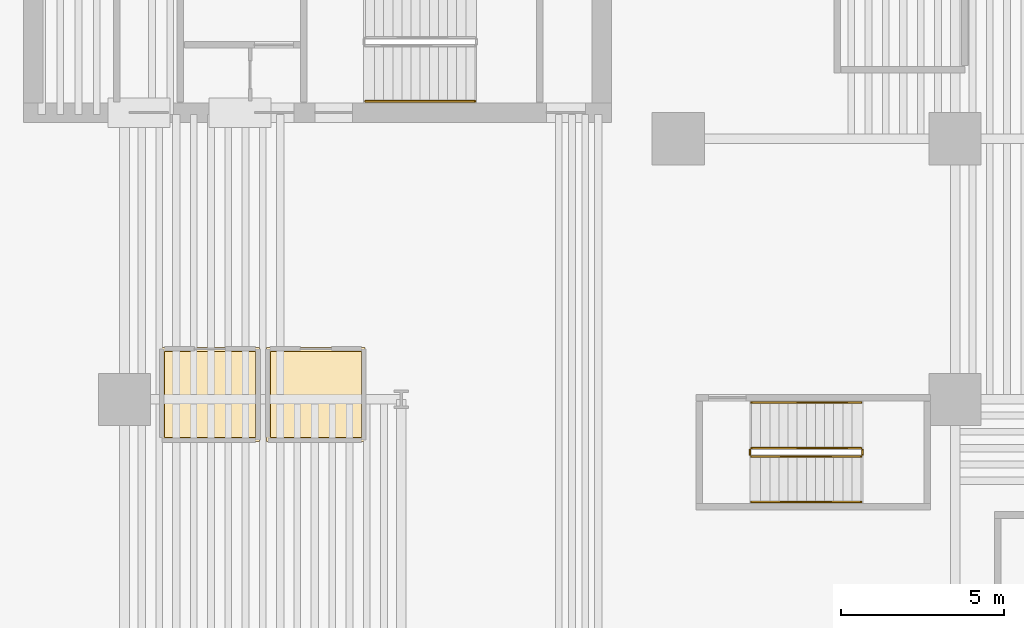
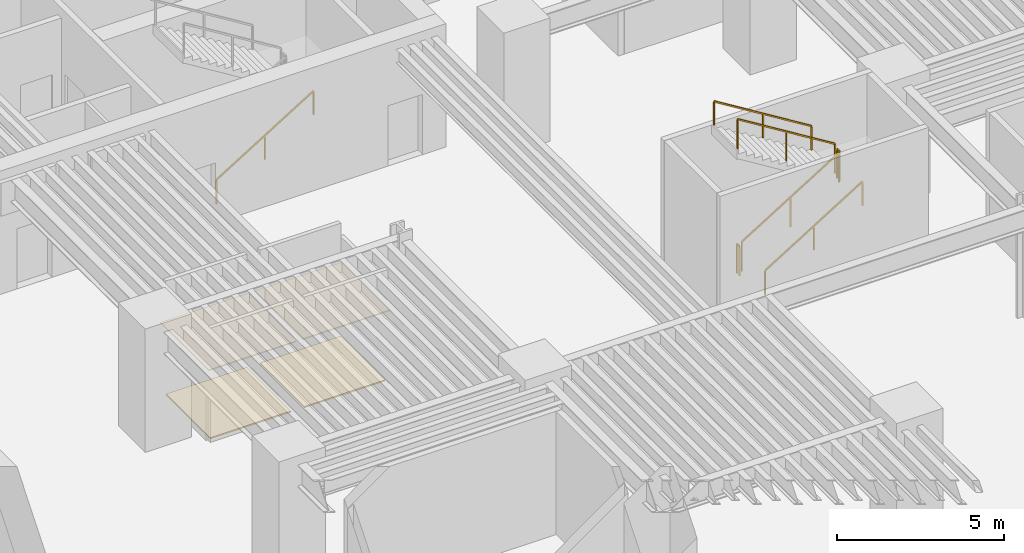
# One storey, part 6 of 10: 7 railings, 4 coverings.
"""IFC4 building model written with IfcOpenShell, lengths in metres."""

from ifc_helpers import new_model, si_unit, direction, frame, origin, origin_2d, place, context, subcontext, project, spatial, polyline, rectangle, outline, extrude, material, layer, layer_set, type_object, element, save


model = new_model("IFC4")

# Units and contexts
model_context = context("Model", 3, precision=1e-05, world=origin(), true_north=direction((0.0, 1.0)))
body_context = subcontext(model_context, "Body", "Model", "MODEL_VIEW")
ifc_project = project(units=[si_unit("LENGTHUNIT", "METRE"), si_unit("AREAUNIT", "SQUARE_METRE"), si_unit("VOLUMEUNIT", "CUBIC_METRE"), si_unit("PLANEANGLEUNIT", "RADIAN"), si_unit("MASSUNIT", "GRAM", prefix="KILO")], contexts=[model_context])

# Site, building, storey
site_placement = place(None, origin())
site = spatial("IfcSite", under=ifc_project, at=site_placement, CompositionType="ELEMENT")
building_placement = place(site_placement, origin())
building = spatial("IfcBuilding", under=site, at=building_placement, Name="Caeloran Harvest Quay", CompositionType="ELEMENT")
storey_placement = place(building_placement, frame((0.0, 0.0, -4.5)))
storey = spatial("IfcBuildingStorey", under=building, at=storey_placement, Name="B01", CompositionType="ELEMENT", Elevation=-4.5)

# Coverings
ifc_material_1 = material(Name="Perforated Mineral-Fibre Acoustic Ceiling Tile", Category="ceiling")
ifc_layer_1 = layer(ifc_material_1, 0.0400390625, Name="Perforated Mineral-Fibre Acoustic Ceiling Tile")
ifc_layer_set_1 = layer_set([ifc_layer_1], Name="Perforated Mineral-Fibre Acoustic Ceiling Tile")
covering_type_1 = type_object("IfcCoveringType", Name="COV-CEILING-ACOUSTIC", PredefinedType="CEILING", material=ifc_layer_set_1)
covering_1_placement = place(storey_placement, frame((0.0, 0.0, 2.60009765625)))
element("IfcCovering", 1, at=covering_1_placement, inside=storey, type_object=covering_type_1, Name="B01 Car Park Male Washroom WC Acoustic Ceiling", PredefinedType="CEILING", context=body_context, shape_type="SweptSolid", body=[
    extrude(outline(polyline([(12.639892578125, 24.590087890625), (12.639892578125, 21.7099609375), (9.610107421875, 21.7099609375), (9.610107421875, 24.590087890625), (12.639892578125, 24.590087890625)])), origin(), (0.0, 0.0, 1.0), 0.039794921875),
])
covering_2_placement = place(storey_placement, frame((0.0, 0.0, 2.60009765625)))
element("IfcCovering", 2, at=covering_2_placement, inside=storey, type_object=covering_type_1, Name="B01 Accessible Unisex Washroom WC Acoustic Ceiling", PredefinedType="CEILING", context=body_context, shape_type="SweptSolid", body=[
    extrude(outline(polyline([(15.889892578125, 24.590087890625), (15.889892578125, 21.7099609375), (12.860107421875, 21.7099609375), (12.860107421875, 24.590087890625), (15.889892578125, 24.590087890625)])), origin(), (0.0, 0.0, 1.0), 0.039794921875),
])
ifc_material_2 = material(Name="Calcium-Sulphate Raised Access Floor and Terrazzo Finish", Category="flooring")
ifc_layer_2 = layer(ifc_material_2, 0.050048828125, Name="Calcium-Sulphate Raised Access Floor and Terrazzo Finish")
ifc_layer_set_2 = layer_set([ifc_layer_2], Name="Calcium-Sulphate Raised Access Floor and Terrazzo Finish")
covering_type_2 = type_object("IfcCoveringType", Name="COV-FLOOR-RAISED", PredefinedType="FLOORING", material=ifc_layer_set_2)
covering_3_placement = place(storey_placement, origin())
element("IfcCovering", 3, at=covering_3_placement, inside=storey, type_object=covering_type_2, Name="B01 Car Park Male Washroom WC Raised Finish Flooring", PredefinedType="FLOORING", context=body_context, shape_type="SweptSolid", body=[
    extrude(outline(polyline([(12.52001953125, 24.469970703125), (12.52001953125, 21.830078125), (9.72998046875, 21.830078125), (9.72998046875, 24.469970703125), (12.52001953125, 24.469970703125)])), origin(), (0.0, 0.0, 1.0), 0.050048828125),
])
covering_4_placement = place(storey_placement, origin())
element("IfcCovering", 4, at=covering_4_placement, inside=storey, type_object=covering_type_2, Name="B01 Accessible Unisex Washroom WC Raised Finish Flooring", PredefinedType="FLOORING", context=body_context, shape_type="SweptSolid", body=[
    extrude(outline(polyline([(15.77001953125, 24.469970703125), (15.77001953125, 21.830078125), (12.97998046875, 21.830078125), (12.97998046875, 24.469970703125), (15.77001953125, 24.469970703125)])), origin(), (0.0, 0.0, 1.0), 0.050048828125),
])

# Railings
ifc_material_3 = material(Name="Painted Steel Baluster and Top-Rail Stair Guard", Category="steel")
ifc_layer_3 = layer(ifc_material_3, 0.050048828125, Name="Painted Steel Baluster and Top-Rail Stair Guard")
ifc_layer_set_3 = layer_set([ifc_layer_3], Name="Painted Steel Baluster and Top-Rail Stair Guard")
railing_type_1 = type_object("IfcRailingType", Name="STAIR-GUARD-1100", PredefinedType="GUARDRAIL", material=ifc_layer_set_3)
railing_1_placement = place(storey_placement, frame((27.75, 21.25, 0.173095703125)))
element("IfcRailing", 5, at=railing_1_placement, inside=storey, type_object=railing_type_1, Name="B01 ST-W1 stair guard 1", PredefinedType="GUARDRAIL", context=body_context, shape_type="SweptSolid", body=[
    extrude(rectangle(XDim=0.048095703125, YDim=0.048095703125, at=origin_2d()), frame((0.0, 0.0, 1.076171875), z_axis=(0.850623216509, 0.0, 0.525775754039), x_axis=(0.0, 1.0, 0.0)), (0.0, 0.0, 1.0), 3.9501953125),
    extrude(rectangle(XDim=0.0419921875, YDim=0.0419921875, at=origin_2d()), origin(), (0.0, 0.0, 1.0), 1.052001953125),
    extrude(rectangle(XDim=0.0419921875, YDim=0.0419921875, at=origin_2d()), frame((1.68017578125, 0.0, 1.03857421875)), (0.0, 0.0, 1.0), 1.052001953125),
    extrude(rectangle(XDim=0.0419921875, YDim=0.0419921875, at=origin_2d()), frame((3.360107421875, 0.0, 2.076904296875)), (0.0, 0.0, 1.0), 1.052001953125),
])
railing_2_placement = place(storey_placement, frame((31.159912109375, 21.300048828125, 2.25)))
element("IfcRailing", 6, at=railing_2_placement, inside=storey, type_object=railing_type_1, Name="B01 ST-W1 stair guard 2", PredefinedType="GUARDRAIL", context=body_context, shape_type="SweptSolid", body=[
    extrude(rectangle(XDim=0.048095703125, YDim=0.048095703125, at=origin_2d()), frame((0.0, 0.0, 1.076171875), z_axis=(0.0, 1.0, 0.0), x_axis=(-1.0, 0.0, 0.0)), (0.0, 0.0, 1.0), 0.14990234375),
    extrude(rectangle(XDim=0.0419921875, YDim=0.0419921875, at=origin_2d()), origin(), (0.0, 0.0, 1.0), 1.052001953125),
    extrude(rectangle(XDim=0.0419921875, YDim=0.0419921875, at=origin_2d()), frame((0.0, 0.14990234375, 0.0)), (0.0, 0.0, 1.0), 1.052001953125),
])
railing_3_placement = place(storey_placement, frame((31.110107421875, 21.5, 2.423095703125)))
element("IfcRailing", 7, at=railing_3_placement, inside=storey, type_object=railing_type_1, Name="B01 ST-W1 stair guard 3", PredefinedType="GUARDRAIL", context=body_context, shape_type="SweptSolid", body=[
    extrude(rectangle(XDim=0.048095703125, YDim=0.048095703125, at=origin_2d()), frame((0.0, 0.0, 1.076171875), z_axis=(-0.850623216509, 0.0, 0.525775754039), x_axis=(0.0, -1.0, 0.0)), (0.0, 0.0, 1.0), 3.9501953125),
    extrude(rectangle(XDim=0.0419921875, YDim=0.0419921875, at=origin_2d()), origin(), (0.0, 0.0, 1.0), 1.052001953125),
    extrude(rectangle(XDim=0.0419921875, YDim=0.0419921875, at=origin_2d()), frame((-1.68017578125, 0.0, 1.03857421875)), (0.0, 0.0, 1.0), 1.052001953125),
    extrude(rectangle(XDim=0.0419921875, YDim=0.0419921875, at=origin_2d()), frame((-3.360107421875, 0.0, 2.076904296875)), (0.0, 0.0, 1.0), 1.052001953125),
])
railing_4_placement = place(storey_placement, frame((27.699951171875, 21.300048828125, 0.0)))
element("IfcRailing", 8, at=railing_4_placement, inside=storey, type_object=railing_type_1, Name="B01 ST-W1 stair guard 4", PredefinedType="GUARDRAIL", context=body_context, shape_type="SweptSolid", body=[
    extrude(rectangle(XDim=0.048095703125, YDim=0.048095703125, at=origin_2d()), frame((0.0, 0.0, 1.076171875), z_axis=(0.0, 1.0, 0.0), x_axis=(-1.0, 0.0, 0.0)), (0.0, 0.0, 1.0), 0.14990234375),
    extrude(rectangle(XDim=0.0419921875, YDim=0.0419921875, at=origin_2d()), origin(), (0.0, 0.0, 1.0), 1.052001953125),
    extrude(rectangle(XDim=0.0419921875, YDim=0.0419921875, at=origin_2d()), frame((0.0, 0.14990234375, 0.0)), (0.0, 0.0, 1.0), 1.052001953125),
])
ifc_material_4 = material(Name="Brushed Stainless Steel Grade 304", Category="steel")
ifc_layer_4 = layer(ifc_material_4, 0.050048828125, Name="Brushed Stainless Steel Grade 304")
ifc_layer_set_4 = layer_set([ifc_layer_4], Name="Brushed Stainless Steel Grade 304")
railing_type_2 = type_object("IfcRailingType", Name="STAIR-HANDRAIL-900", PredefinedType="HANDRAIL", material=ifc_layer_set_4)
for number, where, name in (
    (9, (15.89990234375, 32.14990234375, 0.173095703125), "B01 ST-C2 stair handrail 1"),
    (10, (27.75, 19.85009765625, 0.173095703125), "B01 ST-W1 stair handrail 1"),
):
    element("IfcRailing", number, at=place(storey_placement, frame(where)), inside=storey, type_object=railing_type_2, Name=name, PredefinedType="HANDRAIL", context=body_context, shape_type="SweptSolid", body=[
        extrude(rectangle(XDim=0.048095703125, YDim=0.048095703125, at=origin_2d()), frame((0.0, 0.0, 0.8759765625), z_axis=(0.850623216509, 0.0, 0.525775754039), x_axis=(0.0, 1.0, 0.0)), (0.0, 0.0, 1.0), 3.9501953125),
        extrude(rectangle(XDim=0.0419921875, YDim=0.0419921875, at=origin_2d()), origin(), (0.0, 0.0, 1.0), 0.851806640625),
        extrude(rectangle(XDim=0.0419921875, YDim=0.0419921875, at=origin_2d()), frame((1.68017578125, 0.0, 1.03857421875)), (0.0, 0.0, 1.0), 0.851806640625),
        extrude(rectangle(XDim=0.0419921875, YDim=0.0419921875, at=origin_2d()), frame((3.360107421875, 0.0, 2.076904296875)), (0.0, 0.0, 1.0), 0.851806640625),
    ])
railing_5_placement = place(storey_placement, frame((31.110107421875, 22.89990234375, 2.423095703125)))
element("IfcRailing", 11, at=railing_5_placement, inside=storey, type_object=railing_type_2, Name="B01 ST-W1 stair handrail 2", PredefinedType="HANDRAIL", context=body_context, shape_type="SweptSolid", body=[
    extrude(rectangle(XDim=0.048095703125, YDim=0.048095703125, at=origin_2d()), frame((0.0, 0.0, 0.8759765625), z_axis=(-0.850623216509, 0.0, 0.525775754039), x_axis=(0.0, -1.0, 0.0)), (0.0, 0.0, 1.0), 3.9501953125),
    extrude(rectangle(XDim=0.0419921875, YDim=0.0419921875, at=origin_2d()), origin(), (0.0, 0.0, 1.0), 0.851806640625),
    extrude(rectangle(XDim=0.0419921875, YDim=0.0419921875, at=origin_2d()), frame((-1.68017578125, 0.0, 1.03857421875)), (0.0, 0.0, 1.0), 0.851806640625),
    extrude(rectangle(XDim=0.0419921875, YDim=0.0419921875, at=origin_2d()), frame((-3.360107421875, 0.0, 2.076904296875)), (0.0, 0.0, 1.0), 0.851806640625),
])

save(model, "model.ifc")
